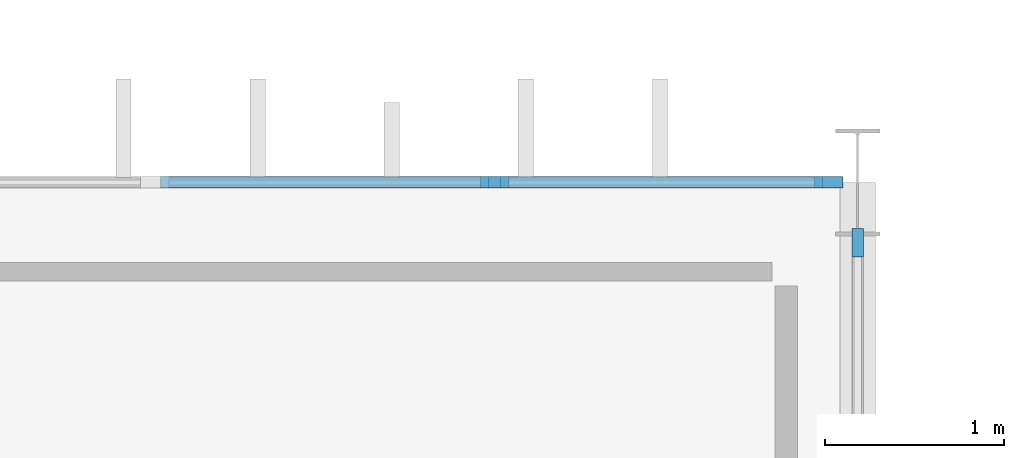
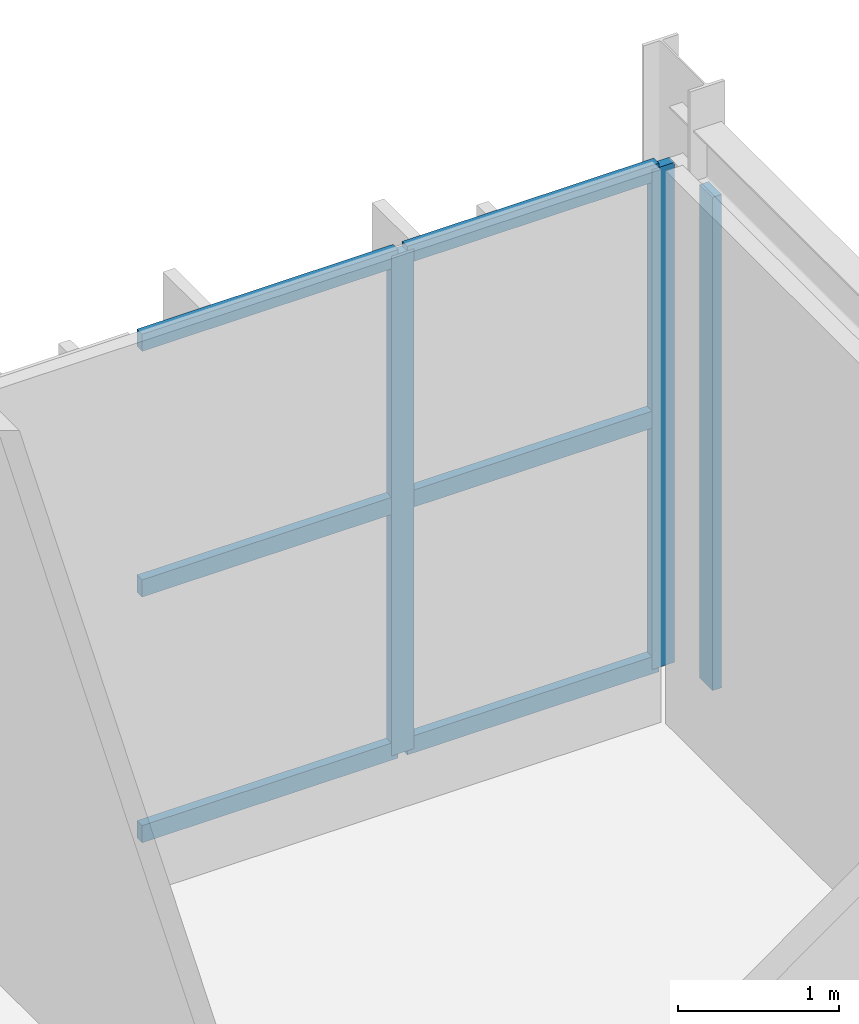
# One storey, part 41 of 96: 9 members, 2 elements without a shape of their own.
"""IFC4 building model written with IfcOpenShell, lengths in metres."""

from ifc_helpers import new_model, si_unit, direction, frame, origin, origin_2d, place, context, subcontext, project, spatial, rectangle, extrude, material, material_profile, profile_set, type_object, element, aggregate, save


model = new_model("IFC4")

# Units and contexts
model_context = context("Model", 3, precision=1e-05, world=origin(), true_north=direction((0.0, 1.0)))
body_context = subcontext(model_context, "Body", "Model", "MODEL_VIEW")
ifc_project = project(units=[si_unit("LENGTHUNIT", "METRE"), si_unit("AREAUNIT", "SQUARE_METRE"), si_unit("VOLUMEUNIT", "CUBIC_METRE"), si_unit("PLANEANGLEUNIT", "RADIAN"), si_unit("MASSUNIT", "GRAM", prefix="KILO")], contexts=[model_context])

# Site, building, storey
site_placement = place(None, origin())
site = spatial("IfcSite", under=ifc_project, at=site_placement, CompositionType="ELEMENT")
building_placement = place(site_placement, origin())
building = spatial("IfcBuilding", under=site, at=building_placement, Name="Varnakota Square Police Headquarters", CompositionType="ELEMENT")
storey_placement = place(building_placement, frame((0.0, 0.0, 4.800048828125)))
storey = spatial("IfcBuildingStorey", under=building, at=storey_placement, Name="L01", CompositionType="ELEMENT", Elevation=4.800048828125)

# Curtain wall, members
ifc_material_1 = material(Name="Anodised Aluminium Framing", Category="aluminium")
curtain_wall_type = type_object("IfcCurtainWallType", Name="CW-SYS-B", PredefinedType="NOTDEFINED", material=ifc_material_1)
curtain_wall_1_placement = place(storey_placement, origin())
curtain_wall_1 = element("IfcCurtainWall", 1, at=curtain_wall_1_placement, inside=storey, type_object=curtain_wall_type, Name="Unitised curtain wall CWG-L01-027", PredefinedType="NOTDEFINED")
ifc_material_2 = material(Name="Anodised Aluminium 6063-T6", Category="aluminium")
ifc_material_profile_1 = material_profile(ifc_material_2, rectangle(XDim=0.06494140625, YDim=0.159912109375, at=origin_2d()), Name="ALU MULLION 65x160")
ifc_profile_set_1 = profile_set([ifc_material_profile_1], Name="Anodised Aluminium 6063-T6")
member_type_1 = type_object("IfcMemberType", Name="CWM-150", PredefinedType="MULLION", material=ifc_profile_set_1)
member_1_placement = place(storey_placement, frame((93.968994140625, 39.0, 0.0), z_axis=(0.0, 0.0, 1.0), x_axis=(0.0, 1.0, 0.0)))
member_1 = element("IfcMember", 2, at=member_1_placement, type_object=member_type_1, Name="CWG-L01-027 mullion 3", PredefinedType="MULLION", context=body_context, shape_type="SweptSolid", body=[
    extrude(rectangle(XDim=0.06494140625, YDim=0.159912109375, at=origin_2d()), origin(), (0.0, 0.0, 1.0), 3.7900390625),
])
member_2_placement = place(storey_placement, frame((95.83740234375, 39.0, 0.0), z_axis=(0.0, 0.0, 1.0), x_axis=(0.0, 1.0, 0.0)))
member_2 = element("IfcMember", 3, at=member_2_placement, type_object=member_type_1, Name="CWG-L01-027 mullion 4", PredefinedType="MULLION", context=body_context, shape_type="SweptSolid", body=[
    extrude(rectangle(XDim=0.06494140625, YDim=0.159912109375, at=origin_2d()), origin(), (0.0, 0.0, 1.0), 3.7900390625),
])

# Curtain wall, member
curtain_wall_2_placement = place(storey_placement, origin())
curtain_wall_2 = element("IfcCurtainWall", 4, at=curtain_wall_2_placement, inside=storey, type_object=curtain_wall_type, Name="Unitised curtain wall CWG-L01-034", PredefinedType="NOTDEFINED")
member_3_placement = place(storey_placement, frame((96.0, 38.66259765625, 0.0), z_axis=(0.0, 0.0, 1.0), x_axis=(-1.0, 0.0, 0.0)))
member_3 = element("IfcMember", 5, at=member_3_placement, type_object=member_type_1, Name="CWG-L01-034 mullion 4", PredefinedType="MULLION", context=body_context, shape_type="SweptSolid", body=[
    extrude(rectangle(XDim=0.06494140625, YDim=0.159912109375, at=origin_2d()), origin(), (0.0, 0.0, 1.0), 3.739990234375),
])
aggregate(curtain_wall_2, [member_3])

# Member
ifc_material_profile_2 = material_profile(ifc_material_2, rectangle(XDim=0.06494140625, YDim=0.1298828125, at=origin_2d()), Name="ALU TRANSOM 65x130")
ifc_profile_set_2 = profile_set([ifc_material_profile_2], Name="Anodised Aluminium 6063-T6")
member_type_2 = type_object("IfcMemberType", Name="CWT-120", PredefinedType="USERDEFINED", material=ifc_profile_set_2)
member_4_placement = place(storey_placement, frame((92.100341796875, 39.0, 0.032470703125), z_axis=(1.0, 0.0, 0.0), x_axis=(0.0, 1.0, 0.0)))
member_4 = element("IfcMember", 6, at=member_4_placement, type_object=member_type_2, Name="CWG-L01-027 transom 2.1", ObjectType="TRANSOM", PredefinedType="USERDEFINED", context=body_context, shape_type="SweptSolid", body=[
    extrude(rectangle(XDim=0.06494140625, YDim=0.1298828125, at=origin_2d()), origin(), (0.0, 0.0, 1.0), 1.836181640625),
])

member_5_placement = place(storey_placement, frame((92.100341796875, 39.0, 1.89501953125), z_axis=(1.0, 0.0, 0.0), x_axis=(0.0, 1.0, 0.0)))
member_5 = element("IfcMember", 7, at=member_5_placement, type_object=member_type_2, Name="CWG-L01-027 transom 2.2", ObjectType="TRANSOM", PredefinedType="USERDEFINED", context=body_context, shape_type="SweptSolid", body=[
    extrude(rectangle(XDim=0.06494140625, YDim=0.1298828125, at=origin_2d()), origin(), (0.0, 0.0, 1.0), 1.836181640625),
])

member_6_placement = place(storey_placement, frame((92.100341796875, 39.0, 3.757568359375), z_axis=(1.0, 0.0, 0.0), x_axis=(0.0, 1.0, 0.0)))
member_6 = element("IfcMember", 8, at=member_6_placement, type_object=member_type_2, Name="CWG-L01-027 transom 2.3", ObjectType="TRANSOM", PredefinedType="USERDEFINED", context=body_context, shape_type="SweptSolid", body=[
    extrude(rectangle(XDim=0.06494140625, YDim=0.1298828125, at=origin_2d()), origin(), (0.0, 0.0, 1.0), 1.836181640625),
])

member_7_placement = place(storey_placement, frame((94.00146484375, 39.0, 0.032470703125), z_axis=(1.0, 0.0, 0.0), x_axis=(0.0, 1.0, 0.0)))
member_7 = element("IfcMember", 9, at=member_7_placement, type_object=member_type_2, Name="CWG-L01-027 transom 3.1", ObjectType="TRANSOM", PredefinedType="USERDEFINED", context=body_context, shape_type="SweptSolid", body=[
    extrude(rectangle(XDim=0.06494140625, YDim=0.1298828125, at=origin_2d()), origin(), (0.0, 0.0, 1.0), 1.803466796875),
])

member_8_placement = place(storey_placement, frame((94.00146484375, 39.0, 1.89501953125), z_axis=(1.0, 0.0, 0.0), x_axis=(0.0, 1.0, 0.0)))
member_8 = element("IfcMember", 10, at=member_8_placement, type_object=member_type_2, Name="CWG-L01-027 transom 3.2", ObjectType="TRANSOM", PredefinedType="USERDEFINED", context=body_context, shape_type="SweptSolid", body=[
    extrude(rectangle(XDim=0.06494140625, YDim=0.1298828125, at=origin_2d()), origin(), (0.0, 0.0, 1.0), 1.803466796875),
])

member_9_placement = place(storey_placement, frame((94.00146484375, 39.0, 3.757568359375), z_axis=(1.0, 0.0, 0.0), x_axis=(0.0, 1.0, 0.0)))
member_9 = element("IfcMember", 11, at=member_9_placement, type_object=member_type_2, Name="CWG-L01-027 transom 3.3", ObjectType="TRANSOM", PredefinedType="USERDEFINED", context=body_context, shape_type="SweptSolid", body=[
    extrude(rectangle(XDim=0.06494140625, YDim=0.1298828125, at=origin_2d()), origin(), (0.0, 0.0, 1.0), 1.803466796875),
])

aggregate(curtain_wall_1, [member_1, member_2, member_4, member_5, member_6, member_7, member_8, member_9])

save(model, "model.ifc")
